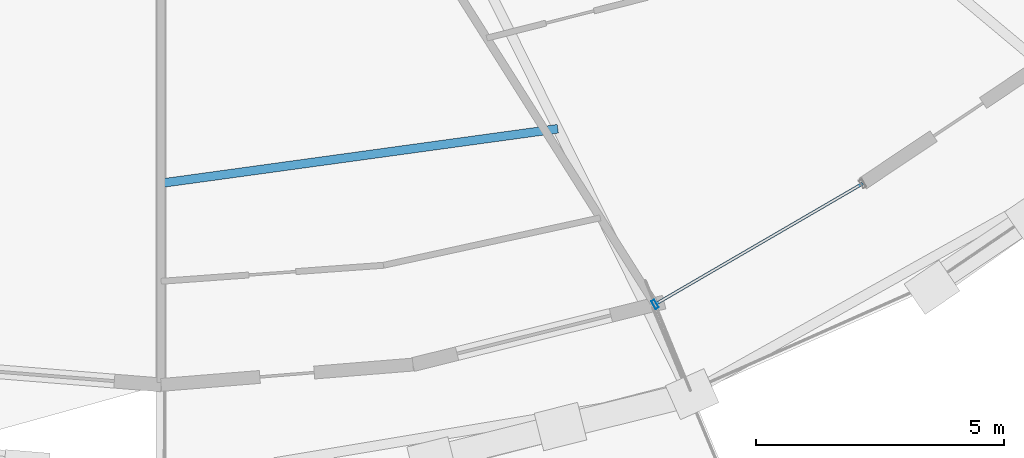
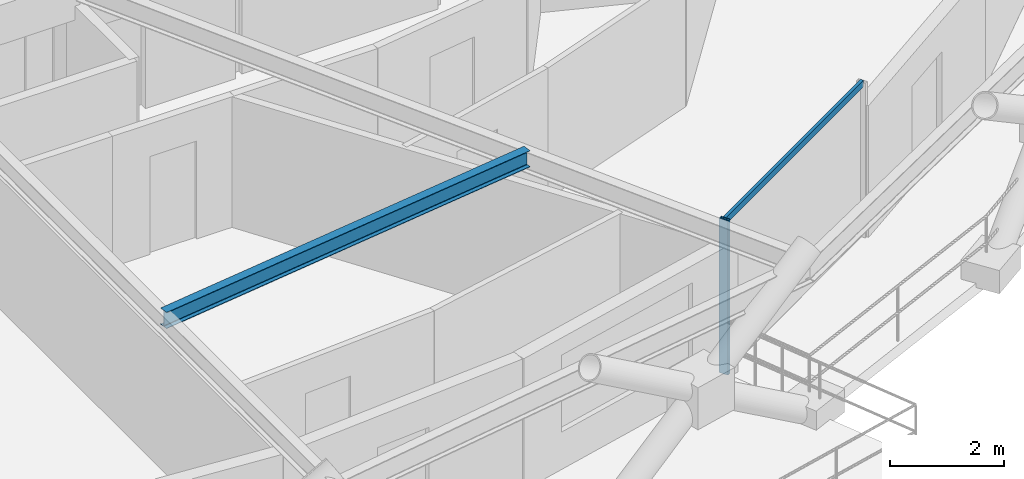
# One storey, part 2 of 16: 2 members, 1 beam, 1 element without a shape of its own.
"""IFC4 building model written with IfcOpenShell, lengths in metres."""

import ifcopenshell
import ifcopenshell.guid

model = None  # the IFC model being written
_history = None  # IfcOwnerHistory: only IFC2X3 demands one
_inside = {}  # id of a spatial element -> (the spatial element, [elements in it])
_under = {}  # id of a project, library or spatial element -> (it, [spatial elements below it])
_declared = {}  # id of a project -> (the project, [libraries it declares])
_typed = {}  # id of a type object -> (the type object, [elements of that type])
_made_of = {}  # id of a material, layer set ... -> (it, [elements and type objects made of it])


def new_model(schema):
    """Start an empty IFC model of exactly this schema.

    Asked for "IFC4X3", IfcOpenShell would pick the latest addendum, in which some entities
    have other attributes; the version numbers below select the first issue.
    IFC2X3 requires an IfcOwnerHistory on every rooted entity: one is made here for all.
    """
    global model, _history
    if schema == "IFC4X3":
        model = ifcopenshell.file(schema_version=(4, 3, 0, 0))
    else:
        model = ifcopenshell.file(schema=schema)
    _inside.clear()
    _under.clear()
    _declared.clear()
    _typed.clear()
    _made_of.clear()
    _history = None
    if model.schema == "IFC2X3":
        org = make("IfcOrganization", Name="unknown")
        user = make(
            "IfcPersonAndOrganization",
            ThePerson=make("IfcPerson", FamilyName="unknown"),
            TheOrganization=org,
        )
        app = make(
            "IfcApplication",
            ApplicationDeveloper=org,
            Version="unknown",
            ApplicationFullName="unknown",
            ApplicationIdentifier="unknown",
        )
        _history = make(
            "IfcOwnerHistory",
            OwningUser=user,
            OwningApplication=app,
            ChangeAction="ADDED",
            CreationDate=0,
        )
    return model


def make(cls, **values):
    """One entity of the class cls with the attributes given. An attribute that is None is left unset."""
    return model.create_entity(
        cls, **{name: value for name, value in values.items() if value is not None}
    )


def rooted(cls, **values):
    """An entity with a GlobalId (a new one), such as an element, a storey or a relation."""
    return make(cls, GlobalId=ifcopenshell.guid.new(), OwnerHistory=_history, **values)


def si_unit(unit_type, name, prefix=None):
    """IfcSIUnit, for example si_unit("LENGTHUNIT", "METRE", prefix="MILLI")."""
    return make("IfcSIUnit", UnitType=unit_type, Prefix=prefix, Name=name)


def assignment(units):
    """IfcUnitAssignment: the units of a project."""
    return None if units is None else make("IfcUnitAssignment", Units=units)


def point(xyz):
    """IfcCartesianPoint."""
    return None if xyz is None else make("IfcCartesianPoint", Coordinates=xyz)


def direction(xyz):
    """IfcDirection."""
    return None if xyz is None else make("IfcDirection", DirectionRatios=xyz)


def frame(location, z_axis=None, x_axis=None):
    """IfcAxis2Placement3D, a coordinate frame: its origin and axes. An axis left out is left unset."""
    return make(
        "IfcAxis2Placement3D",
        Location=point(location),
        Axis=direction(z_axis),
        RefDirection=direction(x_axis),
    )


def frame_2d(location, x_axis=None):
    """IfcAxis2Placement2D, a coordinate frame in the plane: its origin and x axis."""
    return make(
        "IfcAxis2Placement2D", Location=point(location), RefDirection=direction(x_axis)
    )


def origin():
    """The frame at (0, 0, 0) with its axes left unset."""
    return frame((0.0, 0.0, 0.0))


def origin_2d():
    """The frame at (0, 0) in the plane with its x axis left unset."""
    return frame_2d((0.0, 0.0))


def place(relative_to, where):
    """IfcLocalPlacement: puts the frame where relative to a parent placement (None: the world)."""
    return make(
        "IfcLocalPlacement", PlacementRelTo=relative_to, RelativePlacement=where
    )


def context(
    kind, dimensions, precision=None, world=None, true_north=None, identifier=None
):
    """IfcGeometricRepresentationContext, for example the 3D "Model" context."""
    return make(
        "IfcGeometricRepresentationContext",
        ContextIdentifier=identifier,
        ContextType=kind,
        CoordinateSpaceDimension=dimensions,
        Precision=precision,
        WorldCoordinateSystem=world,
        TrueNorth=true_north,
    )


def subcontext(parent, identifier, kind, view, scale=None):
    """IfcGeometricRepresentationSubContext, for example "Body" below "Model"."""
    return make(
        "IfcGeometricRepresentationSubContext",
        ContextIdentifier=identifier,
        ContextType=kind,
        ParentContext=parent,
        TargetScale=scale,
        TargetView=view,
    )


def project(units=None, contexts=None):
    """IfcProject with its units and contexts."""
    return rooted(
        "IfcProject",
        Name="project",
        RepresentationContexts=contexts,
        UnitsInContext=assignment(units),
    )


def spatial(cls, under=None, at=None, **own):
    """A site, building, storey or space (cls), placed at a placement, below another one or the project."""
    s = rooted(cls, ObjectPlacement=at, **own)
    if under is not None:
        _under.setdefault(under.id(), (under, []))[1].append(s)
    return s


def profile(cls, at=None, kind="AREA", **sizes):
    """A parametric profile (cls). Its sizes go by their IFC names, for example OverallWidth=200.0."""
    return make(cls, ProfileType=kind, Position=at, **sizes)


def hollow_rectangle(**sizes):
    """IfcRectangleHollowProfileDef."""
    return profile("IfcRectangleHollowProfileDef", **sizes)


def i_section(**sizes):
    """IfcIShapeProfileDef."""
    return profile("IfcIShapeProfileDef", **sizes)


def extrude(swept, where, along, depth):
    """IfcExtrudedAreaSolid: the profile swept, set in the frame where, extruded along a direction by depth."""
    return make(
        "IfcExtrudedAreaSolid",
        SweptArea=swept,
        Position=where,
        ExtrudedDirection=direction(along),
        Depth=depth,
    )


def shape(context_of_items, identifier, shape_type, items):
    """IfcShapeRepresentation: the items that make up one representation, for example the "Body"."""
    return make(
        "IfcShapeRepresentation",
        ContextOfItems=context_of_items,
        RepresentationIdentifier=identifier,
        RepresentationType=shape_type,
        Items=items,
    )


def material(Name=None, Category=None):
    """IfcMaterial."""
    return make("IfcMaterial", Name=Name, Category=Category)


def layer(
    of_material, thickness, ventilated=None, Name=None, Category=None, Priority=None
):
    """IfcMaterialLayer: one layer of a wall or slab, of a material (None: an air gap)."""
    return make(
        "IfcMaterialLayer",
        Material=of_material,
        LayerThickness=thickness,
        IsVentilated=ventilated,
        Name=Name,
        Category=Category,
        Priority=Priority,
    )


def layer_set(layers, Name=None):
    """IfcMaterialLayerSet."""
    return make("IfcMaterialLayerSet", MaterialLayers=layers, LayerSetName=Name)


def material_profile(
    of_material, cross_section, Name=None, Category=None, Priority=None
):
    """IfcMaterialProfile: a cross section and its material."""
    return make(
        "IfcMaterialProfile",
        Name=Name,
        Material=of_material,
        Profile=cross_section,
        Priority=Priority,
        Category=Category,
    )


def profile_set(profiles, Name=None, composite=None):
    """IfcMaterialProfileSet."""
    return make(
        "IfcMaterialProfileSet",
        Name=Name,
        MaterialProfiles=profiles,
        CompositeProfile=composite,
    )


def made_of(thing, what):
    """Note that an element or type object is made of a material, layer set ...; save() writes the relation."""
    if what is not None:
        _made_of.setdefault(what.id(), (what, []))[1].append(thing)
    return thing


def type_object(cls, material=None, **own):
    """A type object (cls), such as IfcWallType, which elements share."""
    return made_of(rooted(cls, **own), material)


def element(
    cls,
    number,
    at=None,
    inside=None,
    cuts=None,
    type_object=None,
    material=None,
    context=None,
    identifier="Body",
    shape_type=None,
    held_by="IfcProductDefinitionShape",
    body=None,
    shapes=None,
    **own,
):
    """One element of the class cls, such as IfcWall. Its Tag is "e" and its number.

    at: its placement. inside: the storey or other place that contains it. cuts: it is an
    opening in that element (IfcRelVoidsElement). A single representation is given by context,
    identifier, shape_type and body (its items); several are given by shapes. held_by: the class
    of the entity that holds the representations. save() writes the other relations.
    """
    e = rooted(cls, Tag="e%d" % number, ObjectPlacement=at, **own)
    if body is not None:
        shapes = [shape(context, identifier, shape_type, body)]
    if shapes is not None:
        e.Representation = make(held_by, Representations=shapes)
    if inside is not None:
        _inside.setdefault(inside.id(), (inside, []))[1].append(e)
    if cuts is not None:
        rooted(
            "IfcRelVoidsElement", RelatingBuildingElement=cuts, RelatedOpeningElement=e
        )
    if type_object is not None:
        _typed.setdefault(type_object.id(), (type_object, []))[1].append(e)
    return made_of(e, material)


def aggregate(whole, parts):
    """IfcRelAggregates: a whole, such as a stair, and the parts it consists of."""
    return rooted("IfcRelAggregates", RelatingObject=whole, RelatedObjects=parts)


def save(model, path):
    """Write the relations noted so far, then the file.

    IfcRelAggregates (storeys below a building ...), IfcRelContainedInSpatialStructure (elements
    in a storey), IfcRelDefinesByType, IfcRelAssociatesMaterial and IfcRelDeclares: one each for
    every whole, place, type object, material and project.
    """
    for whole, parts in _under.values():
        aggregate(whole, parts)
    for where, things in _inside.values():
        rooted(
            "IfcRelContainedInSpatialStructure",
            RelatedElements=things,
            RelatingStructure=where,
        )
    for kind, things in _typed.values():
        rooted("IfcRelDefinesByType", RelatedObjects=things, RelatingType=kind)
    for what, things in _made_of.values():
        rooted("IfcRelAssociatesMaterial", RelatedObjects=things, RelatingMaterial=what)
    for by, libraries in _declared.values():
        rooted("IfcRelDeclares", RelatingContext=by, RelatedDefinitions=libraries)
    model.write(path)


model = new_model("IFC4")

# Units and contexts
model_context = context("Model", 3, precision=1e-05, world=origin(), true_north=direction((0.0, 1.0)))
body_context = subcontext(model_context, "Body", "Model", "MODEL_VIEW")
ifc_project = project(units=[si_unit("LENGTHUNIT", "METRE"), si_unit("AREAUNIT", "SQUARE_METRE"), si_unit("VOLUMEUNIT", "CUBIC_METRE"), si_unit("PLANEANGLEUNIT", "RADIAN"), si_unit("MASSUNIT", "GRAM", prefix="KILO")], contexts=[model_context])

# Site, building, storey
site_placement = place(None, origin())
site = spatial("IfcSite", under=ifc_project, at=site_placement, CompositionType="ELEMENT")
building_placement = place(site_placement, origin())
building = spatial("IfcBuilding", under=site, at=building_placement, Name="Veldorina Hangang Commons", CompositionType="ELEMENT")
storey_placement = place(building_placement, frame((0.0, 0.0, 174.800048828125)))
storey = spatial("IfcBuildingStorey", under=building, at=storey_placement, Name="L45", CompositionType="ELEMENT", Elevation=174.800048828125)

# Beam
ifc_material_1 = material(Name="Steel SM355-TMC", Category="steel")
ifc_material_profile_1 = material_profile(ifc_material_1, i_section(OverallWidth=0.175048828125, OverallDepth=0.35009765625, WebThickness=0.007080078125, FlangeThickness=0.010986328125, FilletRadius=0.012939453125, at=origin_2d()), Name="H-350x175x7x11")
ifc_profile_set_1 = profile_set([ifc_material_profile_1], Name="Steel SM355-TMC")
beam_type = type_object("IfcBeamType", Name="BM-JST350", PredefinedType="JOIST", material=ifc_profile_set_1)
beam_placement = place(storey_placement, frame((32.0, 6.7294921875, 3.175048828125), z_axis=(0.990701918112, 0.136050393049, 0.0), x_axis=(-0.136050393049, 0.990701918112, 0.0)))
element("IfcBeam", 1, at=beam_placement, inside=storey, type_object=beam_type, Name="L45 secondary floor joist 13", PredefinedType="JOIST", context=body_context, shape_type="SweptSolid", body=[
    extrude(i_section(OverallWidth=0.175048828125, OverallDepth=0.35009765625, WebThickness=0.007080078125, FlangeThickness=0.010986328125, FilletRadius=0.012939453125, at=origin_2d()), origin(), (0.0, 0.0, 1.0), 8.078857421875),
])

# Curtain wall, members
ifc_material_2 = material(Name="Glass Low-E Triple IGU", Category="glass")
ifc_layer = layer(ifc_material_2, 0.179931640625)
ifc_layer_set = layer_set([ifc_layer], Name="Glass Low-E Triple IGU")
curtain_wall_type = type_object("IfcCurtainWallType", Name="CW-SYS-Z2", PredefinedType="NOTDEFINED", material=ifc_layer_set)
curtain_wall_placement = place(storey_placement, origin())
curtain_wall = element("IfcCurtainWall", 2, at=curtain_wall_placement, inside=storey, type_object=curtain_wall_type, Name="L45 unitised curtain wall CW-L45-R1", PredefinedType="NOTDEFINED")
ifc_material_3 = material(Name="Aluminium Anodized AA6063-T6", Category="aluminium")
ifc_material_profile_2 = material_profile(ifc_material_3, hollow_rectangle(XDim=0.070068359375, YDim=0.179931640625, WallThickness=0.00390625, at=origin_2d()), Name="ALU-RHS-180x70x4")
ifc_profile_set_2 = profile_set([ifc_material_profile_2], Name="Aluminium Anodized AA6063-T6")
member_type_1 = type_object("IfcMemberType", Name="CW-MUL-180", PredefinedType="MULLION", material=ifc_profile_set_2)
member_1_placement = place(storey_placement, frame((41.965087890625, 4.284423828125, 0.0), z_axis=(0.0, 0.0, 1.0), x_axis=(0.864397687112, 0.502808749443, 0.0)))
member_1 = element("IfcMember", 3, at=member_1_placement, type_object=member_type_1, Name="CW-L45-R1 vertical mullion 1", PredefinedType="MULLION", context=body_context, shape_type="SweptSolid", body=[
    extrude(hollow_rectangle(XDim=0.070068359375, YDim=0.179931640625, WallThickness=0.00390625, at=origin_2d()), origin(), (0.0, 0.0, 1.0), 3.31005859375),
])
ifc_material_profile_3 = material_profile(ifc_material_3, hollow_rectangle(XDim=0.06005859375, YDim=0.139892578125, WallThickness=0.00341796875, at=origin_2d()), Name="ALU-RHS-140x60x3.5")
ifc_profile_set_3 = profile_set([ifc_material_profile_3], Name="Aluminium Anodized AA6063-T6")
member_type_2 = type_object("IfcMemberType", Name="CW-TRN-140", PredefinedType="USERDEFINED", material=ifc_profile_set_3)
member_2_placement = place(storey_placement, frame((41.965087890625, 4.284423828125, 3.27001953125), z_axis=(0.864402854388, 0.502799866076, 0.0), x_axis=(-0.502799866076, 0.864402854388, 0.0)))
member_2 = element("IfcMember", 4, at=member_2_placement, type_object=member_type_2, Name="CW-L45-R1 facet 1 transom 1", ObjectType="TRANSOM", PredefinedType="USERDEFINED", context=body_context, shape_type="SweptSolid", body=[
    extrude(hollow_rectangle(XDim=0.06005859375, YDim=0.139892578125, WallThickness=0.00341796875, at=origin_2d()), origin(), (0.0, 0.0, 1.0), 4.848388671875),
])
aggregate(curtain_wall, [member_1, member_2])

save(model, "model.ifc")
